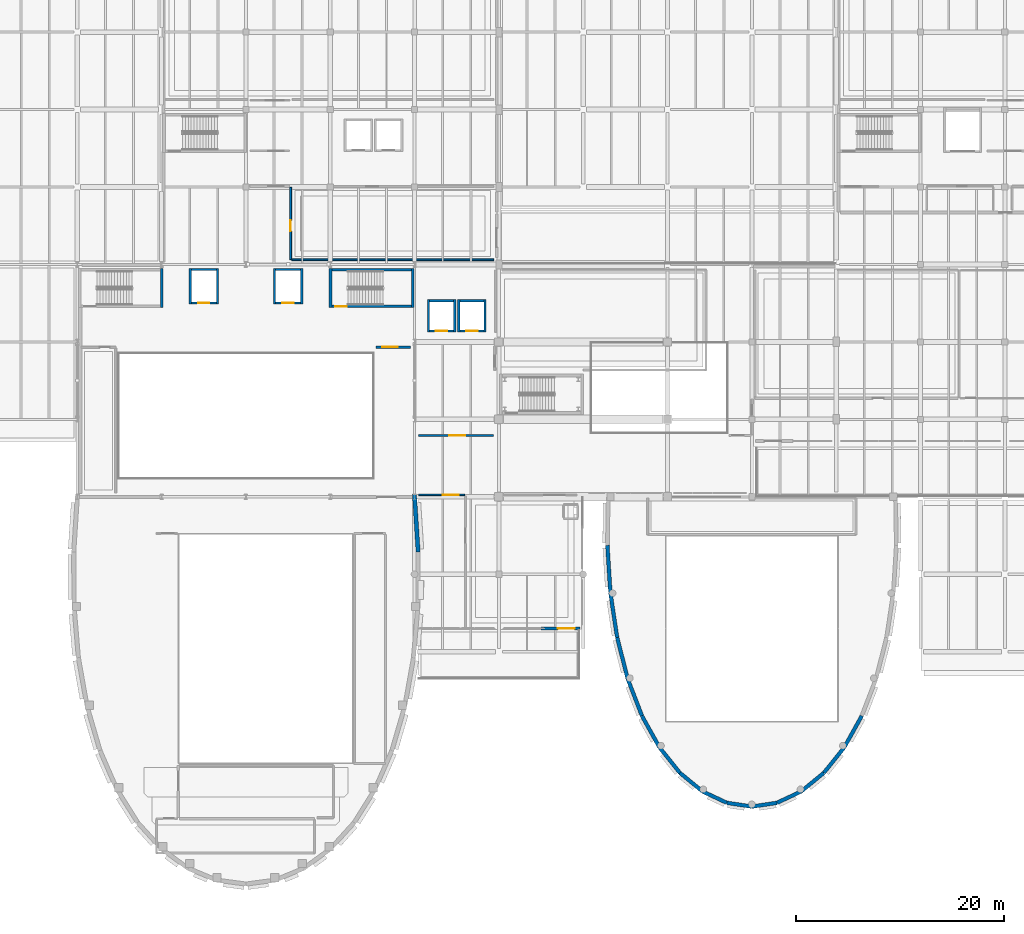
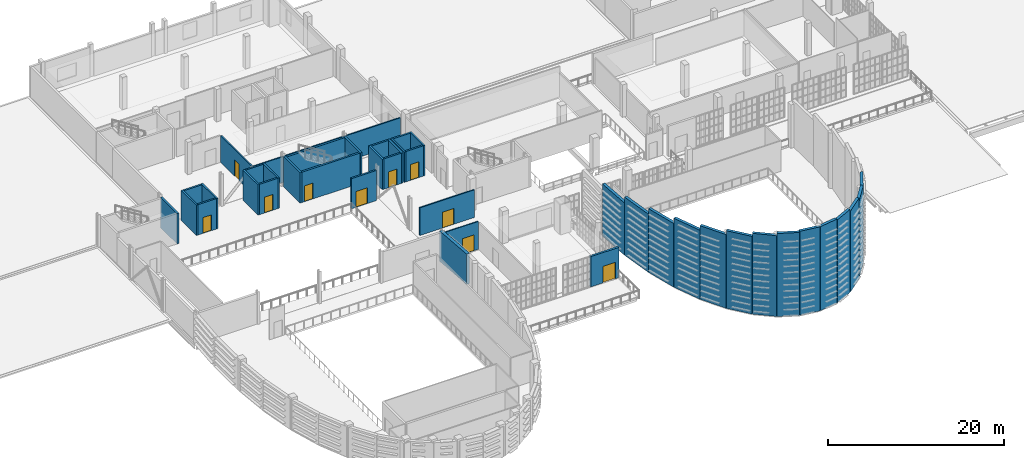
# One storey, part 60 of 73: 42 walls, 10 doors, 10 openings.
"""IFC4 building model written with IfcOpenShell, lengths in metres."""

from ifc_helpers import new_model, si_unit, direction, frame, frame_2d, origin, place, context, subcontext, project, spatial, rectangle, extrude, material, layer, layer_set, type_object, element, fill, save


model = new_model("IFC4")

# Units and contexts
model_context = context("Model", 3, precision=1e-05, world=origin(), true_north=direction((0.0, 1.0)))
body_context = subcontext(model_context, "Body", "Model", "MODEL_VIEW")
ifc_project = project(units=[si_unit("LENGTHUNIT", "METRE"), si_unit("AREAUNIT", "SQUARE_METRE"), si_unit("VOLUMEUNIT", "CUBIC_METRE"), si_unit("PLANEANGLEUNIT", "RADIAN"), si_unit("MASSUNIT", "GRAM", prefix="KILO")], contexts=[model_context])

# Site, building, storey
site_placement = place(None, origin())
site = spatial("IfcSite", under=ifc_project, at=site_placement, CompositionType="ELEMENT")
building_placement = place(site_placement, origin())
building = spatial("IfcBuilding", under=site, at=building_placement, Name="Kaelora Sail Theatre", CompositionType="ELEMENT")
storey_placement = place(building_placement, frame((0.0, 0.0, 10.199951171875)))
storey = spatial("IfcBuildingStorey", under=building, at=storey_placement, Name="L02", CompositionType="ELEMENT", Elevation=10.199951171875)

# Wall
ifc_material_1 = material(Name="Concrete C40/50", Category="concrete")
ifc_layer_1 = layer(ifc_material_1, 0.25)
ifc_layer_set_1 = layer_set([ifc_layer_1], Name="Concrete C40/50")
wall_type_1 = type_object("IfcWallType", Name="ARC-WL-CW-250", PredefinedType="SHEAR", material=ifc_layer_set_1)
wall_1_placement = place(storey_placement, frame((33.925048828125, 79.199951171875, 0.0), z_axis=(0.0, 0.0, 1.0), x_axis=(0.0, 1.0, 0.0)))
element("IfcWall", 1, at=wall_1_placement, inside=storey, type_object=wall_type_1, Name="Stair shaft ST-K1 wall L02-E", PredefinedType="SHEAR", context=body_context, shape_type="SweptSolid", body=[
    extrude(rectangle(XDim=3.75, YDim=0.25, at=frame_2d((1.875, 0.0))), origin(), (0.0, 0.0, 1.0), 4.22509765625),
])

# Wall, opening, door
wall_2_placement = place(storey_placement, frame((50.2548828125, 79.324951171875, 0.0), z_axis=(0.0, 0.0, 1.0), x_axis=(1.0, 0.0, 0.0)))
wall_2 = element("IfcWall", 2, at=wall_2_placement, inside=storey, type_object=wall_type_1, Name="Stair shaft ST-K5 wall L02-S", PredefinedType="SHEAR", context=body_context, shape_type="SweptSolid", body=[
    extrude(rectangle(XDim=7.64013671875, YDim=0.25, at=frame_2d((3.820068359375, 0.0))), origin(), (0.0, 0.0, 1.0), 4.22509765625),
])
opening_1_placement = place(wall_2_placement, frame((0.320068359375, 0.0, 0.0)))
opening_1 = element("IfcOpeningElement", 3, at=opening_1_placement, cuts=wall_2, Name="Opening FD-02", PredefinedType="OPENING", context=body_context, shape_type="SweptSolid", body=[
    extrude(rectangle(XDim=1.10009765625, YDim=2.199951171875, at=frame_2d((0.550048828125, 1.10009765625))), frame((0.0, 0.135, 0.0), z_axis=(0.0, -1.0, 0.0), x_axis=(1.0, 0.0, 0.0)), (0.0, 0.0, 1.0), 0.27),
])
ifc_material_2 = material(Name="Acoustic steel single stair/lobby fire door EI 90-C", Category="steel")
door_type_1 = type_object("IfcDoorType", Name="ARC-DR-FD-02", OperationType="NOTDEFINED", PredefinedType="DOOR", material=ifc_material_2)
door_1_placement = place(opening_1_placement, origin())
door_1 = element("IfcDoor", 4, at=door_1_placement, inside=storey, type_object=door_type_1, Name="Stair ST-K5 door (L02)", OperationType="SINGLE_SWING_RIGHT", OverallHeight=2.199951171875, OverallWidth=1.10009765625, PredefinedType="DOOR", context=body_context, shape_type="SweptSolid", body=[
    extrude(rectangle(XDim=1.10009765625, YDim=2.199951171875, at=frame_2d((0.550048828125, 1.10009765625))), frame((0.0, 0.02490234375, 0.0), z_axis=(0.0, -1.0, 0.0), x_axis=(1.0, 0.0, 0.0)), (0.0, 0.0, 1.0), 0.050048828125),
])
fill(opening_1, door_1)

# Walls
wall_3_placement = place(storey_placement, frame((50.2548828125, 82.824951171875, 0.0), z_axis=(0.0, 0.0, 1.0), x_axis=(1.0, 0.0, 0.0)))
element("IfcWall", 5, at=wall_3_placement, inside=storey, type_object=wall_type_1, Name="Stair shaft ST-K5 wall L02-N", PredefinedType="SHEAR", context=body_context, shape_type="SweptSolid", body=[
    extrude(rectangle(XDim=7.64013671875, YDim=0.25, at=frame_2d((3.820068359375, 0.0))), origin(), (0.0, 0.0, 1.0), 4.22509765625),
])
for number, where, z_axis, x_axis, name in (
    (6, (50.125, 79.199951171875, 0.0), (0.0, 0.0, 1.0), (0.0, 1.0, 0.0), "Stair shaft ST-K5 wall L02-W"),
    (7, (58.02490234375, 79.199951171875, 0.0), (0.0, 0.0, 1.0), (0.0, 1.0, 0.0), "Stair shaft ST-K5 wall L02-E"),
):
    element("IfcWall", number, at=place(storey_placement, frame(where, z_axis=z_axis, x_axis=x_axis)), inside=storey, type_object=wall_type_1, Name=name, PredefinedType="SHEAR", context=body_context, shape_type="SweptSolid", body=[
        extrude(rectangle(XDim=3.75, YDim=0.25, at=frame_2d((1.875, 0.0))), origin(), (0.0, 0.0, 1.0), 4.22509765625),
    ])
ifc_material_3 = material(Name="Concrete C45/55", Category="concrete")
ifc_layer_2 = layer(ifc_material_3, 0.360107421875)
ifc_layer_set_2 = layer_set([ifc_layer_2], Name="Concrete C45/55")
wall_type_2 = type_object("IfcWallType", Name="ARC-WL-DW-360", PredefinedType="SHEAR", material=ifc_layer_set_2)
wall_4_placement = place(storey_placement, frame((101.158203125, 39.9765625, 0.0), z_axis=(0.0, 0.0, 1.0), x_axis=(-0.4858221348, -0.874057694514, 0.0)))
element("IfcWall", 8, at=wall_4_placement, inside=storey, type_object=wall_type_2, Name="Studio Theatre Sail Drum curved drum acoustic wall L02 chord 6", PredefinedType="SHEAR", context=body_context, shape_type="SweptSolid", body=[
    extrude(rectangle(XDim=3.469970703125, YDim=0.360107421875, at=frame_2d((1.73486328125, 0.0))), origin(), (0.0, 0.0, 1.0), 10.2490234375),
])
wall_5_placement = place(storey_placement, frame((99.472412109375, 36.943603515625, 0.0), z_axis=(0.0, 0.0, 1.0), x_axis=(-0.626301385679, -0.779581024844, 0.0)))
element("IfcWall", 9, at=wall_5_placement, inside=storey, type_object=wall_type_2, Name="Studio Theatre Sail Drum curved drum acoustic wall L02 chord 7", PredefinedType="SHEAR", context=body_context, shape_type="SweptSolid", body=[
    extrude(rectangle(XDim=3.1298828125, YDim=0.360107421875, at=frame_2d((1.56494140625, 0.0))), origin(), (0.0, 0.0, 1.0), 10.80810546875),
])
wall_6_placement = place(storey_placement, frame((97.51220703125, 34.503662109375, 0.0), z_axis=(0.0, 0.0, 1.0), x_axis=(-0.772994903331, -0.634412231459, 0.0)))
element("IfcWall", 10, at=wall_6_placement, inside=storey, type_object=wall_type_2, Name="Studio Theatre Sail Drum curved drum acoustic wall L02 chord 8", PredefinedType="SHEAR", context=body_context, shape_type="SweptSolid", body=[
    extrude(rectangle(XDim=2.81689453125, YDim=0.360107421875, at=frame_2d((1.408447265625, 0.0))), origin(), (0.0, 0.0, 1.0), 11.239990234375),
])
wall_7_placement = place(storey_placement, frame((95.334716796875, 32.716552734375, 0.0), z_axis=(0.0, 0.0, 1.0), x_axis=(-0.905675487445, -0.423971592728, 0.0)))
element("IfcWall", 11, at=wall_7_placement, inside=storey, type_object=wall_type_2, Name="Studio Theatre Sail Drum curved drum acoustic wall L02 chord 9", PredefinedType="SHEAR", context=body_context, shape_type="SweptSolid", body=[
    extrude(rectangle(XDim=2.571044921875, YDim=0.360107421875, at=frame_2d((1.28564453125, 0.0))), origin(), (0.0, 0.0, 1.0), 11.533935546875),
])
for number, where, z_axis, x_axis, name in (
    (12, (93.006103515625, 31.62646484375, 0.0), (0.0, 0.0, 1.0), (-0.988599043905, -0.150572010645, 0.0), "Studio Theatre Sail Drum curved drum acoustic wall L02 chord 10"),
    (13, (90.60009765625, 31.260009765625, 0.0), (0.0, 0.0, 1.0), (-0.988599043905, 0.150572010645, 0.0), "Studio Theatre Sail Drum curved drum acoustic wall L02 chord 11"),
):
    element("IfcWall", number, at=place(storey_placement, frame(where, z_axis=z_axis, x_axis=x_axis)), inside=storey, type_object=wall_type_2, Name=name, PredefinedType="SHEAR", context=body_context, shape_type="SweptSolid", body=[
        extrude(rectangle(XDim=2.433837890625, YDim=0.360107421875, at=frame_2d((1.216796875, 0.0))), origin(), (0.0, 0.0, 1.0), 11.6826171875),
    ])
wall_8_placement = place(storey_placement, frame((88.194091796875, 31.62646484375, 0.0), z_axis=(0.0, 0.0, 1.0), x_axis=(-0.905692553487, 0.423935134848, 0.0)))
element("IfcWall", 14, at=wall_8_placement, inside=storey, type_object=wall_type_2, Name="Studio Theatre Sail Drum curved drum acoustic wall L02 chord 12", PredefinedType="SHEAR", context=body_context, shape_type="SweptSolid", body=[
    extrude(rectangle(XDim=2.5712890625, YDim=0.360107421875, at=frame_2d((1.28564453125, 0.0))), origin(), (0.0, 0.0, 1.0), 11.533935546875),
])
wall_9_placement = place(storey_placement, frame((85.865234375, 32.716552734375, 0.0), z_axis=(0.0, 0.0, 1.0), x_axis=(-0.772994903331, 0.634412231459, 0.0)))
element("IfcWall", 15, at=wall_9_placement, inside=storey, type_object=wall_type_2, Name="Studio Theatre Sail Drum curved drum acoustic wall L02 chord 13", PredefinedType="SHEAR", context=body_context, shape_type="SweptSolid", body=[
    extrude(rectangle(XDim=2.81689453125, YDim=0.360107421875, at=frame_2d((1.408447265625, 0.0))), origin(), (0.0, 0.0, 1.0), 11.239990234375),
])
wall_10_placement = place(storey_placement, frame((83.687744140625, 34.503662109375, 0.0), z_axis=(0.0, 0.0, 1.0), x_axis=(-0.62625397499, 0.779619111367, 0.0)))
element("IfcWall", 16, at=wall_10_placement, inside=storey, type_object=wall_type_2, Name="Studio Theatre Sail Drum curved drum acoustic wall L02 chord 14", PredefinedType="SHEAR", context=body_context, shape_type="SweptSolid", body=[
    extrude(rectangle(XDim=3.129638671875, YDim=0.360107421875, at=frame_2d((1.56494140625, 0.0))), origin(), (0.0, 0.0, 1.0), 10.80810546875),
])
wall_11_placement = place(storey_placement, frame((81.727783203125, 36.943603515625, 0.0), z_axis=(0.0, 0.0, 1.0), x_axis=(-0.4858221348, 0.874057694514, 0.0)))
element("IfcWall", 17, at=wall_11_placement, inside=storey, type_object=wall_type_2, Name="Studio Theatre Sail Drum curved drum acoustic wall L02 chord 15", PredefinedType="SHEAR", context=body_context, shape_type="SweptSolid", body=[
    extrude(rectangle(XDim=3.469970703125, YDim=0.360107421875, at=frame_2d((1.73486328125, 0.0))), origin(), (0.0, 0.0, 1.0), 10.2490234375),
])
wall_12_placement = place(storey_placement, frame((80.0419921875, 39.9765625, 0.0), z_axis=(0.0, 0.0, 1.0), x_axis=(-0.359301516444, 0.933221527978, 0.0)))
element("IfcWall", 18, at=wall_12_placement, inside=storey, type_object=wall_type_2, Name="Studio Theatre Sail Drum curved drum acoustic wall L02 chord 16", PredefinedType="SHEAR", context=body_context, shape_type="SweptSolid", body=[
    extrude(rectangle(XDim=3.80517578125, YDim=0.360107421875, at=frame_2d((1.902587890625, 0.0))), origin(), (0.0, 0.0, 1.0), 9.60107421875),
])
wall_13_placement = place(storey_placement, frame((78.6748046875, 43.527587890625, 0.0), z_axis=(0.0, 0.0, 1.0), x_axis=(-0.247662085518, 0.968846474627, 0.0)))
element("IfcWall", 19, at=wall_13_placement, inside=storey, type_object=wall_type_2, Name="Studio Theatre Sail Drum curved drum acoustic wall L02 chord 17", PredefinedType="SHEAR", context=body_context, shape_type="SweptSolid", body=[
    extrude(rectangle(XDim=4.109619140625, YDim=0.360107421875, at=frame_2d((2.0546875, 0.0))), origin(), (0.0, 0.0, 1.0), 8.862060546875),
])
wall_14_placement = place(storey_placement, frame((77.656982421875, 47.50927734375, 0.0), z_axis=(0.0, 0.0, 1.0), x_axis=(-0.149391002348, 0.988778199809, 0.0)))
element("IfcWall", 20, at=wall_14_placement, inside=storey, type_object=wall_type_2, Name="Studio Theatre Sail Drum curved drum acoustic wall L02 chord 18", PredefinedType="SHEAR", context=body_context, shape_type="SweptSolid", body=[
    extrude(rectangle(XDim=4.363525390625, YDim=0.360107421875, at=frame_2d((2.181640625, 0.0))), origin(), (0.0, 0.0, 1.0), 8.076416015625),
])
wall_15_placement = place(storey_placement, frame((77.005126953125, 51.82373046875, 0.0), z_axis=(0.0, 0.0, 1.0), x_axis=(-0.062087628492, 0.998070702099, 0.0)))
element("IfcWall", 21, at=wall_15_placement, inside=storey, type_object=wall_type_2, Name="Studio Theatre Sail Drum curved drum acoustic wall L02 chord 19", PredefinedType="SHEAR", context=body_context, shape_type="SweptSolid", body=[
    extrude(rectangle(XDim=4.549560546875, YDim=0.360107421875, at=frame_2d((2.27490234375, 0.0))), origin(), (0.0, 0.0, 1.0), 7.24609375),
])
ifc_material_4 = material(Name="Concrete C50/60", Category="concrete")
ifc_layer_3 = layer(ifc_material_4, 0.39990234375)
ifc_layer_set_3 = layer_set([ifc_layer_3], Name="Concrete C50/60")
wall_type_3 = type_object("IfcWallType", Name="ARC-WL-DW-400", PredefinedType="SHEAR", material=ifc_layer_set_3)
wall_16_placement = place(storey_placement, frame((58.181884765625, 61.29931640625, 0.0), z_axis=(0.0, 0.0, 1.0), x_axis=(0.064519893008, -0.997916421053, 0.0)))
element("IfcWall", 22, at=wall_16_placement, inside=storey, type_object=wall_type_3, Name="Main Theatre Sail Drum curved drum acoustic wall L02 chord 1", PredefinedType="SHEAR", context=body_context, shape_type="SweptSolid", body=[
    extrude(rectangle(XDim=5.585205078125, YDim=0.39990234375, at=frame_2d((2.79248046875, 0.0))), origin(), (0.0, 0.0, 1.0), 4.22509765625),
])

# Wall, opening, door
ifc_material_5 = material(Name="Precast concrete C45/55", Category="concrete")
ifc_layer_4 = layer(ifc_material_5, 0.280029296875)
ifc_layer_set_4 = layer_set([ifc_layer_4], Name="Precast concrete C45/55")
wall_type_4 = type_object("IfcWallType", Name="ARC-WL-EW-280", PredefinedType="SOLIDWALL", material=ifc_layer_set_4)
wall_17_placement = place(storey_placement, frame((74.070068359375, 48.389892578125, 0.0), z_axis=(0.0, 0.0, 1.0), x_axis=(-1.0, 0.0, 0.0)))
wall_17 = element("IfcWall", 23, at=wall_17_placement, inside=storey, type_object=wall_type_4, Name="West Interstitial Foyer Portal Pier (L02)", PredefinedType="SOLIDWALL", context=body_context, shape_type="SweptSolid", body=[
    extrude(rectangle(XDim=3.7099609375, YDim=0.280029296875, at=frame_2d((1.85498046875, 0.0))), origin(), (0.0, 0.0, 1.0), 4.205078125),
])
opening_2_placement = place(wall_17_placement, frame((0.5, 0.0, 0.0)))
opening_2 = element("IfcOpeningElement", 24, at=opening_2_placement, cuts=wall_17, Name="Opening ED-05", PredefinedType="OPENING", context=body_context, shape_type="SweptSolid", body=[
    extrude(rectangle(XDim=1.60009765625, YDim=2.300048828125, at=frame_2d((0.800048828125, 1.14990234375))), frame((0.0, 0.150137, 0.0), z_axis=(0.0, -1.0, 0.0), x_axis=(1.0, 0.0, 0.0)), (0.0, 0.0, 1.0), 0.300029),
])
ifc_material_6 = material(Name="Terrace glazed double swing door", Category="aluminium")
door_type_2 = type_object("IfcDoorType", Name="ARC-DR-ED-05", OperationType="NOTDEFINED", PredefinedType="DOOR", material=ifc_material_6)
door_2_placement = place(opening_2_placement, origin())
door_2 = element("IfcDoor", 25, at=door_2_placement, inside=storey, type_object=door_type_2, Name="West Interstitial Foyer Entrance/Terrace Door (L02)", OperationType="DOUBLE_DOOR_SINGLE_SWING", OverallHeight=2.300048828125, OverallWidth=1.60009765625, PredefinedType="DOOR", context=body_context, shape_type="SweptSolid", body=[
    extrude(rectangle(XDim=1.60009765625, YDim=2.300048828125, at=frame_2d((0.800048828125, 1.14990234375))), frame((0.0, 0.02490234375, 0.0), z_axis=(0.0, -1.0, 0.0), x_axis=(1.0, 0.0, 0.0)), (0.0, 0.0, 1.0), 0.050048828125),
])
fill(opening_2, door_2)

ifc_material_7 = material(Name="Fire-rated stud partition 140 mm", Category="gypsum")
ifc_layer_5 = layer(ifc_material_7, 0.139892578125)
ifc_layer_set_5 = layer_set([ifc_layer_5], Name="Fire-rated stud partition 140 mm")
wall_type_5 = type_object("IfcWallType", Name="ARC-WL-PT-140", PredefinedType="PARTITIONING", material=ifc_layer_set_5)
wall_18_placement = place(storey_placement, frame((58.60009765625, 61.199951171875, 0.0), z_axis=(0.0, 0.0, 1.0), x_axis=(1.0, 0.0, 0.0)))
wall_18 = element("IfcWall", 26, at=wall_18_placement, inside=storey, type_object=wall_type_5, Name="Interior acoustic partition L02-COR-INTER1/L02-COR-FOYC", PredefinedType="PARTITIONING", context=body_context, shape_type="SweptSolid", body=[
    extrude(rectangle(XDim=4.39990234375, YDim=0.139892578125, at=frame_2d((2.199951171875, 0.0))), origin(), (0.0, 0.0, 1.0), 3.876953125),
])
opening_3_placement = place(wall_18_placement, frame((2.320068359375, 0.0, 0.0)))
opening_3 = element("IfcOpeningElement", 27, at=opening_3_placement, cuts=wall_18, Name="Opening FD-01", PredefinedType="OPENING", context=body_context, shape_type="SweptSolid", body=[
    extrude(rectangle(XDim=1.5, YDim=2.199951171875, at=frame_2d((0.75, 1.10009765625))), frame((0.0, 0.079824, 0.0), z_axis=(0.0, -1.0, 0.0), x_axis=(1.0, 0.0, 0.0)), (0.0, 0.0, 1.0), 0.159893),
])
ifc_material_8 = material(Name="Acoustic steel double fire door EI 90-C", Category="steel")
door_type_3 = type_object("IfcDoorType", Name="ARC-DR-FD-01", OperationType="NOTDEFINED", PredefinedType="DOOR", material=ifc_material_8)
door_3_placement = place(opening_3_placement, origin())
door_3 = element("IfcDoor", 28, at=door_3_placement, inside=storey, type_object=door_type_3, Name="Interior door L02-COR-INTER1 to L02-COR-FOYC", OperationType="DOUBLE_DOOR_SINGLE_SWING", OverallHeight=2.199951171875, OverallWidth=1.5, PredefinedType="DOOR", context=body_context, shape_type="SweptSolid", body=[
    extrude(rectangle(XDim=1.5, YDim=2.199951171875, at=frame_2d((0.75, 1.10009765625))), frame((0.0, 0.02490234375, 0.0), z_axis=(0.0, -1.0, 0.0), x_axis=(1.0, 0.0, 0.0)), (0.0, 0.0, 1.0), 0.050048828125),
])
fill(opening_3, door_3)

# Wall
ifc_material_9 = material(Name="Acoustic metal-stud plasterboard 160 mm", Category="gypsum")
ifc_layer_6 = layer(ifc_material_9, 0.159912109375)
ifc_layer_set_6 = layer_set([ifc_layer_6], Name="Acoustic metal-stud plasterboard 160 mm")
wall_type_6 = type_object("IfcWallType", Name="ARC-WL-PT-160", PredefinedType="PARTITIONING", material=ifc_layer_set_6)
wall_19_placement = place(storey_placement, frame((46.39990234375, 83.800048828125, 0.0), z_axis=(0.0, 0.0, 1.0), x_axis=(1.0, 0.0, 0.0)))
element("IfcWall", 29, at=wall_19_placement, inside=storey, type_object=wall_type_6, Name="Room enclosure wall L02-DRAMA-S-S1", PredefinedType="PARTITIONING", context=body_context, shape_type="SweptSolid", body=[
    extrude(rectangle(XDim=19.400146484375, YDim=0.159912109375, at=frame_2d((9.7001953125, 0.0))), origin(), (0.0, 0.0, 1.0), 3.60693359375),
])

# Wall, opening, door
ifc_material_10 = material(Name="Workshop acoustic stud partition 170 mm", Category="gypsum")
ifc_layer_7 = layer(ifc_material_10, 0.169921875)
ifc_layer_set_7 = layer_set([ifc_layer_7], Name="Workshop acoustic stud partition 170 mm")
wall_type_7 = type_object("IfcWallType", Name="ARC-WL-PT-170", PredefinedType="PARTITIONING", material=ifc_layer_set_7)
wall_20_placement = place(storey_placement, frame((58.60009765625, 66.89990234375, 0.0), z_axis=(0.0, 0.0, 1.0), x_axis=(1.0, 0.0, 0.0)))
wall_20 = element("IfcWall", 30, at=wall_20_placement, inside=storey, type_object=wall_type_7, Name="Interior acoustic partition L02-COR-FOYC/L02-COR-LINK", PredefinedType="PARTITIONING", context=body_context, shape_type="SweptSolid", body=[
    extrude(rectangle(XDim=7.199951171875, YDim=0.169921875, at=frame_2d((3.60009765625, 0.0))), origin(), (0.0, 0.0, 1.0), 3.84716796875),
])
opening_4_placement = place(wall_20_placement, frame((2.948974609375, 0.0, 0.0)))
opening_4 = element("IfcOpeningElement", 31, at=opening_4_placement, cuts=wall_20, Name="Opening FD-01", PredefinedType="OPENING", context=body_context, shape_type="SweptSolid", body=[
    extrude(rectangle(XDim=1.5, YDim=2.199951171875, at=frame_2d((0.75, 1.10009765625))), frame((0.0, 0.094961, 0.0), z_axis=(0.0, -1.0, 0.0), x_axis=(1.0, 0.0, 0.0)), (0.0, 0.0, 1.0), 0.189922),
])
door_4_placement = place(opening_4_placement, origin())
door_4 = element("IfcDoor", 32, at=door_4_placement, inside=storey, type_object=door_type_3, Name="Interior door L02-COR-FOYC to L02-COR-LINK", OperationType="DOUBLE_DOOR_SINGLE_SWING", OverallHeight=2.199951171875, OverallWidth=1.5, PredefinedType="DOOR", context=body_context, shape_type="SweptSolid", body=[
    extrude(rectangle(XDim=1.5, YDim=2.199951171875, at=frame_2d((0.75, 1.10009765625))), frame((0.0, 0.02490234375, 0.0), z_axis=(0.0, -1.0, 0.0), x_axis=(1.0, 0.0, 0.0)), (0.0, 0.0, 1.0), 0.050048828125),
])
fill(opening_4, door_4)

ifc_material_11 = material(Name="Rehearsal double-stud partition 185 mm", Category="gypsum")
ifc_layer_8 = layer(ifc_material_11, 0.18505859375)
ifc_layer_set_8 = layer_set([ifc_layer_8], Name="Rehearsal double-stud partition 185 mm")
wall_type_8 = type_object("IfcWallType", Name="ARC-WL-PT-185", PredefinedType="PARTITIONING", material=ifc_layer_set_8)
wall_21_placement = place(storey_placement, frame((46.300048828125, 83.800048828125, 0.0), z_axis=(0.0, 0.0, 1.0), x_axis=(0.0, 1.0, 0.0)))
wall_21 = element("IfcWall", 33, at=wall_21_placement, inside=storey, type_object=wall_type_8, Name="Interior acoustic partition L02-COR-NLINKW/L02-DRAMA-S", PredefinedType="PARTITIONING", context=body_context, shape_type="SweptSolid", body=[
    extrude(rectangle(XDim=6.949951171875, YDim=0.18505859375, at=frame_2d((3.47509765625, 0.0))), origin(), (0.0, 0.0, 1.0), 3.70703125),
])
opening_5_placement = place(wall_21_placement, frame((2.7529296875, 0.0, 0.0)))
opening_5 = element("IfcOpeningElement", 34, at=opening_5_placement, cuts=wall_21, Name="Opening ID-06", PredefinedType="OPENING", context=body_context, shape_type="SweptSolid", body=[
    extrude(rectangle(XDim=1.050048828125, YDim=2.25, at=frame_2d((0.52490234375, 1.125))), frame((0.0, 0.102529, 0.0), z_axis=(0.0, -1.0, 0.0), x_axis=(1.0, 0.0, 0.0)), (0.0, 0.0, 1.0), 0.205059),
])
ifc_material_12 = material(Name="Soloist dressing acoustic timber door", Category="wood")
door_type_4 = type_object("IfcDoorType", Name="ARC-DR-ID-06", OperationType="NOTDEFINED", PredefinedType="DOOR", material=ifc_material_12)
door_5_placement = place(opening_5_placement, origin())
door_5 = element("IfcDoor", 35, at=door_5_placement, inside=storey, type_object=door_type_4, Name="Interior door L02-COR-NLINKW to L02-DRAMA-S", OperationType="SINGLE_SWING_LEFT", OverallHeight=2.25, OverallWidth=1.050048828125, PredefinedType="DOOR", context=body_context, shape_type="SweptSolid", body=[
    extrude(rectangle(XDim=1.050048828125, YDim=2.25, at=frame_2d((0.52490234375, 1.125))), frame((0.0, 0.02490234375, 0.0), z_axis=(0.0, -1.0, 0.0), x_axis=(1.0, 0.0, 0.0)), (0.0, 0.0, 1.0), 0.050048828125),
])
fill(opening_5, door_5)

ifc_material_13 = material(Name="Studio box-in-box acoustic partition 215 mm", Category="gypsum")
ifc_layer_9 = layer(ifc_material_13, 0.215087890625)
ifc_layer_set_9 = layer_set([ifc_layer_9], Name="Studio box-in-box acoustic partition 215 mm")
wall_type_9 = type_object("IfcWallType", Name="ARC-WL-PT-215", PredefinedType="PARTITIONING", material=ifc_layer_set_9)
wall_22_placement = place(storey_placement, frame((54.5, 75.39990234375, 0.0), z_axis=(0.0, 0.0, 1.0), x_axis=(1.0, 0.0, 0.0)))
wall_22 = element("IfcWall", 36, at=wall_22_placement, inside=storey, type_object=wall_type_9, Name="Interior acoustic partition L02-FLY-ELINK/L02-COR-FLY", PredefinedType="PARTITIONING", context=body_context, shape_type="SweptSolid", body=[
    extrude(rectangle(XDim=3.300048828125, YDim=0.215087890625, at=frame_2d((1.64990234375, 0.0))), origin(), (0.0, 0.0, 1.0), 4.205078125),
])
opening_6_placement = place(wall_22_placement, frame((0.580078125, 0.0, 0.0)))
opening_6 = element("IfcOpeningElement", 37, at=opening_6_placement, cuts=wall_22, Name="Opening FD-01", PredefinedType="OPENING", context=body_context, shape_type="SweptSolid", body=[
    extrude(rectangle(XDim=1.5, YDim=2.199951171875, at=frame_2d((0.75, 1.10009765625))), frame((0.0, 0.117422, 0.0), z_axis=(0.0, -1.0, 0.0), x_axis=(1.0, 0.0, 0.0)), (0.0, 0.0, 1.0), 0.235088),
])
door_6_placement = place(opening_6_placement, origin())
door_6 = element("IfcDoor", 38, at=door_6_placement, inside=storey, type_object=door_type_3, Name="Interior door L02-FLY-ELINK to L02-COR-FLY", OperationType="DOUBLE_DOOR_SINGLE_SWING", OverallHeight=2.199951171875, OverallWidth=1.5, PredefinedType="DOOR", context=body_context, shape_type="SweptSolid", body=[
    extrude(rectangle(XDim=1.5, YDim=2.199951171875, at=frame_2d((0.75, 1.10009765625))), frame((0.0, 0.02490234375, 0.0), z_axis=(0.0, -1.0, 0.0), x_axis=(1.0, 0.0, 0.0)), (0.0, 0.0, 1.0), 0.050048828125),
])
fill(opening_6, door_6)

ifc_material_14 = material(Name="Concrete C40/50", Category="concrete")
ifc_layer_10 = layer(ifc_material_14, 0.219970703125)
ifc_layer_set_10 = layer_set([ifc_layer_10], Name="Concrete C40/50")
wall_type_10 = type_object("IfcWallType", Name="ARC-WL-SW-220", PredefinedType="SOLIDWALL", material=ifc_layer_set_10)
wall_23_placement = place(storey_placement, frame((36.75, 79.639892578125, 0.0), z_axis=(0.0, 0.0, 1.0), x_axis=(1.0, 0.0, 0.0)))
wall_23 = element("IfcWall", 39, at=wall_23_placement, inside=storey, type_object=wall_type_10, Name="Lift FFL-01 shaft wall L02-S", PredefinedType="SOLIDWALL", context=body_context, shape_type="SweptSolid", body=[
    extrude(rectangle(XDim=2.39990234375, YDim=0.219970703125, at=frame_2d((1.199951171875, 0.0))), origin(), (0.0, 0.0, 1.0), 4.22509765625),
])
opening_7_placement = place(wall_23_placement, frame((0.64990234375, 0.0, 0.0)))
opening_7 = element("IfcOpeningElement", 40, at=opening_7_placement, cuts=wall_23, Name="Opening LD-FFL", PredefinedType="OPENING", context=body_context, shape_type="SweptSolid", body=[
    extrude(rectangle(XDim=1.10009765625, YDim=2.199951171875, at=frame_2d((0.550048828125, 1.10009765625))), frame((0.0, 0.119863, 0.0), z_axis=(0.0, -1.0, 0.0), x_axis=(1.0, 0.0, 0.0)), (0.0, 0.0, 1.0), 0.239971),
])
ifc_material_15 = material(Name="Stainless steel firefighting lift landing door EI 120", Category="steel")
door_type_5 = type_object("IfcDoorType", Name="ARC-DR-LD-FFL", OperationType="NOTDEFINED", PredefinedType="DOOR", material=ifc_material_15)
door_7_placement = place(opening_7_placement, origin())
door_7 = element("IfcDoor", 41, at=door_7_placement, inside=storey, type_object=door_type_5, Name="Lift FFL-01 sliding landing door (L02)", OperationType="SLIDING_TO_LEFT", OverallHeight=2.199951171875, OverallWidth=1.10009765625, PredefinedType="DOOR", context=body_context, shape_type="SweptSolid", body=[
    extrude(rectangle(XDim=1.10009765625, YDim=2.199951171875, at=frame_2d((0.550048828125, 1.10009765625))), frame((0.0, 0.02490234375, 0.0), z_axis=(0.0, -1.0, 0.0), x_axis=(1.0, 0.0, 0.0)), (0.0, 0.0, 1.0), 0.050048828125),
])
fill(opening_7, door_7)

# Walls
wall_24_placement = place(storey_placement, frame((36.75, 82.860107421875, 0.0), z_axis=(0.0, 0.0, 1.0), x_axis=(1.0, 0.0, 0.0)))
element("IfcWall", 42, at=wall_24_placement, inside=storey, type_object=wall_type_10, Name="Lift FFL-01 shaft wall L02-N", PredefinedType="SOLIDWALL", context=body_context, shape_type="SweptSolid", body=[
    extrude(rectangle(XDim=2.39990234375, YDim=0.219970703125, at=frame_2d((1.199951171875, 0.0))), origin(), (0.0, 0.0, 1.0), 4.22509765625),
])
for number, where, z_axis, x_axis, name in (
    (43, (36.639892578125, 79.530029296875, 0.0), (0.0, 0.0, 1.0), (0.0, 1.0, 0.0), "Lift FFL-01 shaft wall L02-W"),
    (44, (39.260009765625, 79.530029296875, 0.0), (0.0, 0.0, 1.0), (0.0, 1.0, 0.0), "Lift FFL-01 shaft wall L02-E"),
):
    element("IfcWall", number, at=place(storey_placement, frame(where, z_axis=z_axis, x_axis=x_axis)), inside=storey, type_object=wall_type_10, Name=name, PredefinedType="SOLIDWALL", context=body_context, shape_type="SweptSolid", body=[
        extrude(rectangle(XDim=3.43994140625, YDim=0.219970703125, at=frame_2d((1.719970703125, 0.0))), origin(), (0.0, 0.0, 1.0), 4.22509765625),
    ])

# Wall, opening, door
wall_25_placement = place(storey_placement, frame((44.85009765625, 79.639892578125, 0.0), z_axis=(0.0, 0.0, 1.0), x_axis=(1.0, 0.0, 0.0)))
wall_25 = element("IfcWall", 45, at=wall_25_placement, inside=storey, type_object=wall_type_10, Name="Lift FFL-02 shaft wall L02-S", PredefinedType="SOLIDWALL", context=body_context, shape_type="SweptSolid", body=[
    extrude(rectangle(XDim=2.39990234375, YDim=0.219970703125, at=frame_2d((1.199951171875, 0.0))), origin(), (0.0, 0.0, 1.0), 4.22509765625),
])
opening_8_placement = place(wall_25_placement, frame((0.64990234375, 0.0, 0.0)))
opening_8 = element("IfcOpeningElement", 46, at=opening_8_placement, cuts=wall_25, Name="Opening LD-FFL", PredefinedType="OPENING", context=body_context, shape_type="SweptSolid", body=[
    extrude(rectangle(XDim=1.10009765625, YDim=2.199951171875, at=frame_2d((0.550048828125, 1.10009765625))), frame((0.0, 0.119863, 0.0), z_axis=(0.0, -1.0, 0.0), x_axis=(1.0, 0.0, 0.0)), (0.0, 0.0, 1.0), 0.239971),
])
door_8_placement = place(opening_8_placement, origin())
door_8 = element("IfcDoor", 47, at=door_8_placement, inside=storey, type_object=door_type_5, Name="Lift FFL-02 sliding landing door (L02)", OperationType="SLIDING_TO_LEFT", OverallHeight=2.199951171875, OverallWidth=1.10009765625, PredefinedType="DOOR", context=body_context, shape_type="SweptSolid", body=[
    extrude(rectangle(XDim=1.10009765625, YDim=2.199951171875, at=frame_2d((0.550048828125, 1.10009765625))), frame((0.0, 0.02490234375, 0.0), z_axis=(0.0, -1.0, 0.0), x_axis=(1.0, 0.0, 0.0)), (0.0, 0.0, 1.0), 0.050048828125),
])
fill(opening_8, door_8)

# Walls
wall_26_placement = place(storey_placement, frame((44.85009765625, 82.860107421875, 0.0), z_axis=(0.0, 0.0, 1.0), x_axis=(1.0, 0.0, 0.0)))
element("IfcWall", 48, at=wall_26_placement, inside=storey, type_object=wall_type_10, Name="Lift FFL-02 shaft wall L02-N", PredefinedType="SOLIDWALL", context=body_context, shape_type="SweptSolid", body=[
    extrude(rectangle(XDim=2.39990234375, YDim=0.219970703125, at=frame_2d((1.199951171875, 0.0))), origin(), (0.0, 0.0, 1.0), 4.22509765625),
])
for number, where, z_axis, x_axis, name in (
    (49, (44.739990234375, 79.530029296875, 0.0), (0.0, 0.0, 1.0), (0.0, 1.0, 0.0), "Lift FFL-02 shaft wall L02-W"),
    (50, (47.360107421875, 79.530029296875, 0.0), (0.0, 0.0, 1.0), (0.0, 1.0, 0.0), "Lift FFL-02 shaft wall L02-E"),
):
    element("IfcWall", number, at=place(storey_placement, frame(where, z_axis=z_axis, x_axis=x_axis)), inside=storey, type_object=wall_type_10, Name=name, PredefinedType="SOLIDWALL", context=body_context, shape_type="SweptSolid", body=[
        extrude(rectangle(XDim=3.43994140625, YDim=0.219970703125, at=frame_2d((1.719970703125, 0.0))), origin(), (0.0, 0.0, 1.0), 4.22509765625),
    ])

# Wall, opening, door
wall_27_placement = place(storey_placement, frame((59.64990234375, 76.93994140625, 0.0), z_axis=(0.0, 0.0, 1.0), x_axis=(1.0, 0.0, 0.0)))
wall_27 = element("IfcWall", 51, at=wall_27_placement, inside=storey, type_object=wall_type_10, Name="Lift PL-01 shaft wall L02-S", PredefinedType="SOLIDWALL", context=body_context, shape_type="SweptSolid", body=[
    extrude(rectangle(XDim=2.300048828125, YDim=0.219970703125, at=frame_2d((1.14990234375, 0.0))), origin(), (0.0, 0.0, 1.0), 4.22509765625),
])
opening_9_placement = place(wall_27_placement, frame((0.60009765625, 0.0, 0.0)))
opening_9 = element("IfcOpeningElement", 52, at=opening_9_placement, cuts=wall_27, Name="Opening LD-PAX", PredefinedType="OPENING", context=body_context, shape_type="SweptSolid", body=[
    extrude(rectangle(XDim=1.10009765625, YDim=2.199951171875, at=frame_2d((0.550048828125, 1.10009765625))), frame((0.0, 0.119863, 0.0), z_axis=(0.0, -1.0, 0.0), x_axis=(1.0, 0.0, 0.0)), (0.0, 0.0, 1.0), 0.239971),
])
ifc_material_16 = material(Name="Brushed bronze passenger lift landing door EI 90", Category="steel")
door_type_6 = type_object("IfcDoorType", Name="ARC-DR-LD-PAX", OperationType="NOTDEFINED", PredefinedType="DOOR", material=ifc_material_16)
door_9_placement = place(opening_9_placement, origin())
door_9 = element("IfcDoor", 53, at=door_9_placement, inside=storey, type_object=door_type_6, Name="Lift PL-01 sliding landing door (L02)", OperationType="SLIDING_TO_LEFT", OverallHeight=2.199951171875, OverallWidth=1.10009765625, PredefinedType="DOOR", context=body_context, shape_type="SweptSolid", body=[
    extrude(rectangle(XDim=1.10009765625, YDim=2.199951171875, at=frame_2d((0.550048828125, 1.10009765625))), frame((0.0, 0.02490234375, 0.0), z_axis=(0.0, -1.0, 0.0), x_axis=(1.0, 0.0, 0.0)), (0.0, 0.0, 1.0), 0.050048828125),
])
fill(opening_9, door_9)

# Walls
wall_28_placement = place(storey_placement, frame((59.64990234375, 79.860107421875, 0.0), z_axis=(0.0, 0.0, 1.0), x_axis=(1.0, 0.0, 0.0)))
element("IfcWall", 54, at=wall_28_placement, inside=storey, type_object=wall_type_10, Name="Lift PL-01 shaft wall L02-N", PredefinedType="SOLIDWALL", context=body_context, shape_type="SweptSolid", body=[
    extrude(rectangle(XDim=2.300048828125, YDim=0.219970703125, at=frame_2d((1.14990234375, 0.0))), origin(), (0.0, 0.0, 1.0), 4.22509765625),
])
for number, where, z_axis, x_axis, name in (
    (55, (59.5400390625, 76.830078125, 0.0), (0.0, 0.0, 1.0), (0.0, 1.0, 0.0), "Lift PL-01 shaft wall L02-W"),
    (56, (62.06005859375, 76.830078125, 0.0), (0.0, 0.0, 1.0), (0.0, 1.0, 0.0), "Lift PL-01 shaft wall L02-E"),
):
    element("IfcWall", number, at=place(storey_placement, frame(where, z_axis=z_axis, x_axis=x_axis)), inside=storey, type_object=wall_type_10, Name=name, PredefinedType="SOLIDWALL", context=body_context, shape_type="SweptSolid", body=[
        extrude(rectangle(XDim=3.139892578125, YDim=0.219970703125, at=frame_2d((1.56982421875, 0.0))), origin(), (0.0, 0.0, 1.0), 4.22509765625),
    ])

# Wall, opening, door
wall_29_placement = place(storey_placement, frame((62.550048828125, 76.93994140625, 0.0), z_axis=(0.0, 0.0, 1.0), x_axis=(1.0, 0.0, 0.0)))
wall_29 = element("IfcWall", 57, at=wall_29_placement, inside=storey, type_object=wall_type_10, Name="Lift PL-02 shaft wall L02-S", PredefinedType="SOLIDWALL", context=body_context, shape_type="SweptSolid", body=[
    extrude(rectangle(XDim=2.300048828125, YDim=0.219970703125, at=frame_2d((1.14990234375, 0.0))), origin(), (0.0, 0.0, 1.0), 4.22509765625),
])
opening_10_placement = place(wall_29_placement, frame((0.60009765625, 0.0, 0.0)))
opening_10 = element("IfcOpeningElement", 58, at=opening_10_placement, cuts=wall_29, Name="Opening LD-PAX", PredefinedType="OPENING", context=body_context, shape_type="SweptSolid", body=[
    extrude(rectangle(XDim=1.10009765625, YDim=2.199951171875, at=frame_2d((0.550048828125, 1.10009765625))), frame((0.0, 0.119863, 0.0), z_axis=(0.0, -1.0, 0.0), x_axis=(1.0, 0.0, 0.0)), (0.0, 0.0, 1.0), 0.239971),
])
door_10_placement = place(opening_10_placement, origin())
door_10 = element("IfcDoor", 59, at=door_10_placement, inside=storey, type_object=door_type_6, Name="Lift PL-02 sliding landing door (L02)", OperationType="SLIDING_TO_LEFT", OverallHeight=2.199951171875, OverallWidth=1.10009765625, PredefinedType="DOOR", context=body_context, shape_type="SweptSolid", body=[
    extrude(rectangle(XDim=1.10009765625, YDim=2.199951171875, at=frame_2d((0.550048828125, 1.10009765625))), frame((0.0, 0.02490234375, 0.0), z_axis=(0.0, -1.0, 0.0), x_axis=(1.0, 0.0, 0.0)), (0.0, 0.0, 1.0), 0.050048828125),
])
fill(opening_10, door_10)

# Walls
wall_30_placement = place(storey_placement, frame((62.550048828125, 79.860107421875, 0.0), z_axis=(0.0, 0.0, 1.0), x_axis=(1.0, 0.0, 0.0)))
element("IfcWall", 60, at=wall_30_placement, inside=storey, type_object=wall_type_10, Name="Lift PL-02 shaft wall L02-N", PredefinedType="SOLIDWALL", context=body_context, shape_type="SweptSolid", body=[
    extrude(rectangle(XDim=2.300048828125, YDim=0.219970703125, at=frame_2d((1.14990234375, 0.0))), origin(), (0.0, 0.0, 1.0), 4.22509765625),
])
for number, where, z_axis, x_axis, name in (
    (61, (62.43994140625, 76.830078125, 0.0), (0.0, 0.0, 1.0), (0.0, 1.0, 0.0), "Lift PL-02 shaft wall L02-W"),
    (62, (64.9599609375, 76.830078125, 0.0), (0.0, 0.0, 1.0), (0.0, 1.0, 0.0), "Lift PL-02 shaft wall L02-E"),
):
    element("IfcWall", number, at=place(storey_placement, frame(where, z_axis=z_axis, x_axis=x_axis)), inside=storey, type_object=wall_type_10, Name=name, PredefinedType="SOLIDWALL", context=body_context, shape_type="SweptSolid", body=[
        extrude(rectangle(XDim=3.139892578125, YDim=0.219970703125, at=frame_2d((1.56982421875, 0.0))), origin(), (0.0, 0.0, 1.0), 4.22509765625),
    ])

save(model, "model.ifc")
